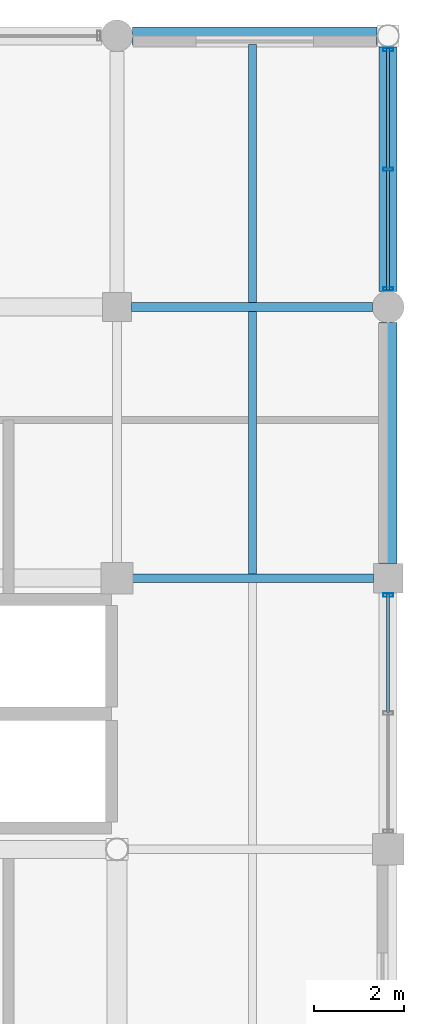
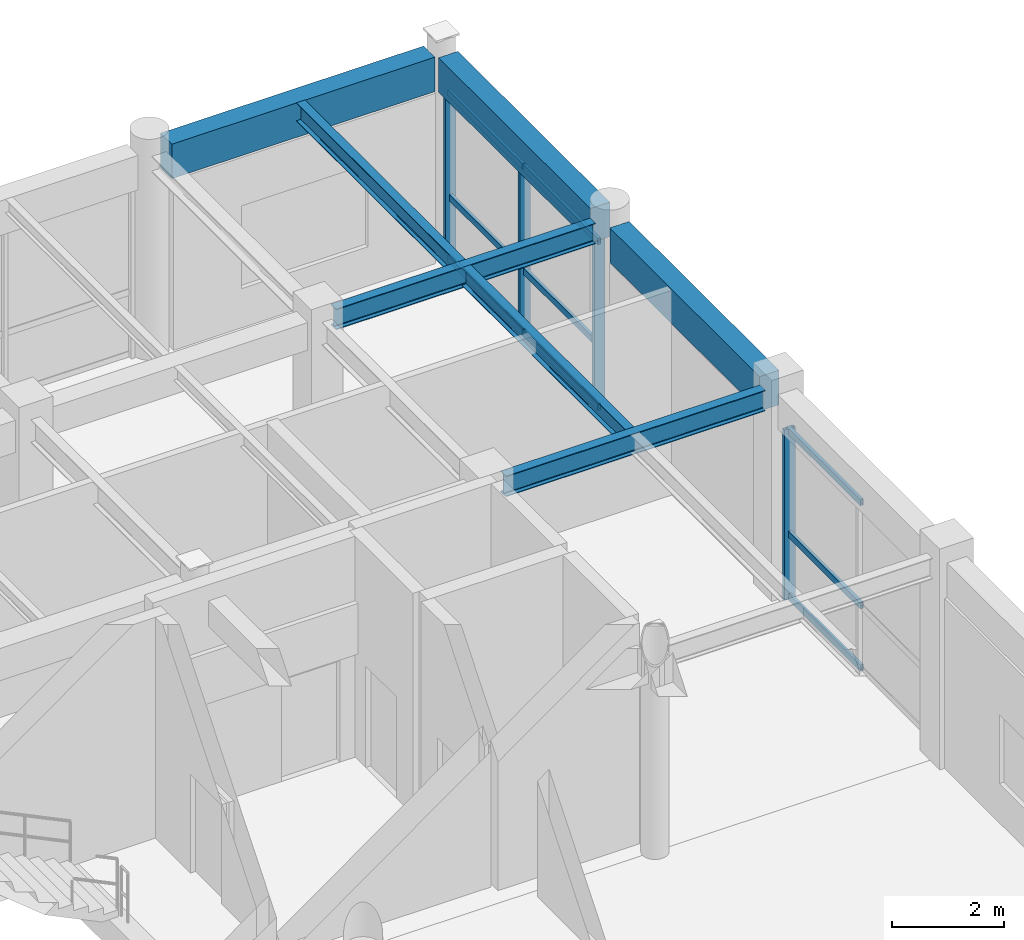
# One storey, part 86 of 123: 13 members, 7 beams, 2 elements without a shape of their own.
"""IFC4 building model written with IfcOpenShell, lengths in metres."""

from ifc_helpers import new_model, si_unit, direction, frame, origin, origin_2d, place, context, subcontext, project, spatial, rectangle, hollow_rectangle, i_section, extrude, material, material_profile, profile_set, type_object, element, aggregate, save


model = new_model("IFC4")

# Units and contexts
model_context = context("Model", 3, precision=1e-05, world=origin(), true_north=direction((0.0, 1.0)))
body_context = subcontext(model_context, "Body", "Model", "MODEL_VIEW")
ifc_project = project(units=[si_unit("LENGTHUNIT", "METRE"), si_unit("AREAUNIT", "SQUARE_METRE"), si_unit("VOLUMEUNIT", "CUBIC_METRE"), si_unit("PLANEANGLEUNIT", "RADIAN"), si_unit("MASSUNIT", "GRAM", prefix="KILO"), si_unit("THERMODYNAMICTEMPERATUREUNIT", "KELVIN"), si_unit("POWERUNIT", "WATT")], contexts=[model_context])

# Site, building, storey
site_placement = place(None, origin())
site = spatial("IfcSite", under=ifc_project, at=site_placement, CompositionType="ELEMENT")
building_placement = place(site_placement, origin())
building = spatial("IfcBuilding", under=site, at=building_placement, Name="Phaisarnlok Congress Hotel", CompositionType="ELEMENT")
storey_placement = place(building_placement, frame((0.0, 0.0, 15.0)))
storey = spatial("IfcBuildingStorey", under=building, at=storey_placement, Name="L03", CompositionType="ELEMENT", Elevation=15.0)

# Beams
ifc_material_1 = material(Name="Steel S355", Category="steel")
ifc_material_profile_1 = material_profile(ifc_material_1, i_section(OverallWidth=0.18994140625, OverallDepth=0.449951171875, WebThickness=0.009521484375, FlangeThickness=0.0146484375, FilletRadius=0.02099609375, at=origin_2d()), Name="IPE 450")
ifc_profile_set_1 = profile_set([ifc_material_profile_1], Name="Steel S355")
beam_type_1 = type_object("IfcBeamType", Name="BM-STL-IPE450", PredefinedType="BEAM", material=ifc_profile_set_1)
for number, where, z_axis, x_axis, name in (
    (1, (174.344970703125, 114.0, 4.22509765625), (1.0, 0.0, 0.0), (0.0, 1.0, 0.0), "Beam SB-01"),
    (2, (174.320068359375, 120.0, 4.22509765625), (1.0, 0.0, 0.0), (0.0, 1.0, 0.0), "Beam SB-01"),
):
    element("IfcBeam", number, at=place(storey_placement, frame(where, z_axis=z_axis, x_axis=x_axis)), inside=storey, type_object=beam_type_1, Name=name, PredefinedType="BEAM", context=body_context, shape_type="SweptSolid", body=[
        extrude(i_section(OverallWidth=0.18994140625, OverallDepth=0.449951171875, WebThickness=0.009521484375, FlangeThickness=0.0146484375, FilletRadius=0.02099609375, at=origin_2d()), origin(), (0.0, 0.0, 1.0), 5.3349609375),
    ])

# Curtain wall, member
ifc_material_2 = material(Name="Thermally Broken Unitised Aluminium & Low-E Glazing", Category="aluminium")
curtain_wall_type_1 = type_object("IfcCurtainWallType", Name="CW-UNIT-30", PredefinedType="NOTDEFINED", material=ifc_material_2)
curtain_wall_1_placement = place(storey_placement, origin())
curtain_wall_1 = element("IfcCurtainWall", 3, at=curtain_wall_1_placement, inside=storey, type_object=curtain_wall_type_1, Name="Unitised curtain wall CW-30 (L03)", PredefinedType="NOTDEFINED")
ifc_material_3 = material(Name="Anodised Aluminium Alloy 6063-T6", Category="aluminium")
ifc_material_profile_2 = material_profile(ifc_material_3, hollow_rectangle(XDim=0.074951171875, YDim=0.219970703125, WallThickness=0.0048828125, at=origin_2d()), Name="ALU-M 75x220x5")
ifc_profile_set_2 = profile_set([ifc_material_profile_2], Name="Anodised Aluminium Alloy 6063-T6")
member_type_1 = type_object("IfcMemberType", Name="CWM-220", PredefinedType="MULLION", material=ifc_profile_set_2)
member_1_placement = place(storey_placement, frame((180.0, 113.625, 0.0), z_axis=(0.0, 0.0, 1.0), x_axis=(0.0, 1.0, 0.0)))
member_1 = element("IfcMember", 4, at=member_1_placement, type_object=member_type_1, Name="Curtain wall mullion CWM-02", PredefinedType="MULLION", context=body_context, shape_type="SweptSolid", body=[
    extrude(hollow_rectangle(XDim=0.074951171875, YDim=0.219970703125, WallThickness=0.0048828125, at=origin_2d()), origin(), (0.0, 0.0, 1.0), 3.699951171875),
])

# Curtain wall, members
curtain_wall_type_2 = type_object("IfcCurtainWallType", Name="CW-UNIT-31", PredefinedType="NOTDEFINED", material=ifc_material_2)
curtain_wall_2_placement = place(storey_placement, origin())
curtain_wall_2 = element("IfcCurtainWall", 5, at=curtain_wall_2_placement, inside=storey, type_object=curtain_wall_type_2, Name="Unitised curtain wall CW-31 (L03)", PredefinedType="NOTDEFINED")
member_2_placement = place(storey_placement, frame((180.0, 120.39990234375, 0.0), z_axis=(0.0, 0.0, 1.0), x_axis=(0.0, 1.0, 0.0)))
member_2 = element("IfcMember", 6, at=member_2_placement, type_object=member_type_1, Name="Curtain wall mullion CWM-02", PredefinedType="MULLION", context=body_context, shape_type="SweptSolid", body=[
    extrude(hollow_rectangle(XDim=0.074951171875, YDim=0.219970703125, WallThickness=0.0048828125, at=origin_2d()), origin(), (0.0, 0.0, 1.0), 3.699951171875),
])
member_3_placement = place(storey_placement, frame((180.0, 123.048095703125, 0.0), z_axis=(0.0, 0.0, 1.0), x_axis=(0.0, 1.0, 0.0)))
member_3 = element("IfcMember", 7, at=member_3_placement, type_object=member_type_1, Name="Curtain wall mullion CWM-02", PredefinedType="MULLION", context=body_context, shape_type="SweptSolid", body=[
    extrude(hollow_rectangle(XDim=0.074951171875, YDim=0.219970703125, WallThickness=0.0048828125, at=origin_2d()), origin(), (0.0, 0.0, 1.0), 3.699951171875),
])
member_4_placement = place(storey_placement, frame((180.0, 125.696044921875, 0.0), z_axis=(0.0, 0.0, 1.0), x_axis=(0.0, 1.0, 0.0)))
member_4 = element("IfcMember", 8, at=member_4_placement, type_object=member_type_1, Name="Curtain wall mullion CWM-02", PredefinedType="MULLION", context=body_context, shape_type="SweptSolid", body=[
    extrude(hollow_rectangle(XDim=0.074951171875, YDim=0.219970703125, WallThickness=0.0048828125, at=origin_2d()), origin(), (0.0, 0.0, 1.0), 3.699951171875),
])

# Member
ifc_material_profile_3 = material_profile(ifc_material_3, hollow_rectangle(XDim=0.06494140625, YDim=0.139892578125, WallThickness=0.00390625, at=origin_2d()), Name="ALU-T 65x140x4")
ifc_profile_set_3 = profile_set([ifc_material_profile_3], Name="Anodised Aluminium Alloy 6063-T6")
member_type_2 = type_object("IfcMemberType", Name="CWT-150", PredefinedType="USERDEFINED", material=ifc_profile_set_3)
member_5_placement = place(storey_placement, frame((180.0, 111.027587890625, 0.050048828125), z_axis=(0.0, 1.0, 0.0), x_axis=(-1.0, 0.0, 0.0)))
member_5 = element("IfcMember", 9, at=member_5_placement, type_object=member_type_2, Name="Curtain wall transom CWT-01", ObjectType="TRANSOM", PredefinedType="USERDEFINED", context=body_context, shape_type="SweptSolid", body=[
    extrude(hollow_rectangle(XDim=0.06494140625, YDim=0.139892578125, WallThickness=0.00390625, at=origin_2d()), origin(), (0.0, 0.0, 1.0), 2.622314453125),
])

member_6_placement = place(storey_placement, frame((180.0, 111.027587890625, 1.406005859375), z_axis=(0.0, 1.0, 0.0), x_axis=(-1.0, 0.0, 0.0)))
member_6 = element("IfcMember", 10, at=member_6_placement, type_object=member_type_2, Name="Curtain wall transom CWT-01", ObjectType="TRANSOM", PredefinedType="USERDEFINED", context=body_context, shape_type="SweptSolid", body=[
    extrude(hollow_rectangle(XDim=0.06494140625, YDim=0.139892578125, WallThickness=0.00390625, at=origin_2d()), origin(), (0.0, 0.0, 1.0), 2.622314453125),
])

member_7_placement = place(storey_placement, frame((180.0, 111.027587890625, 3.64990234375), z_axis=(0.0, 1.0, 0.0), x_axis=(-1.0, 0.0, 0.0)))
member_7 = element("IfcMember", 11, at=member_7_placement, type_object=member_type_2, Name="Curtain wall transom CWT-01", ObjectType="TRANSOM", PredefinedType="USERDEFINED", context=body_context, shape_type="SweptSolid", body=[
    extrude(hollow_rectangle(XDim=0.06494140625, YDim=0.139892578125, WallThickness=0.00390625, at=origin_2d()), origin(), (0.0, 0.0, 1.0), 2.622314453125),
])

aggregate(curtain_wall_1, [member_1, member_5, member_6, member_7])

member_8_placement = place(storey_placement, frame((180.0, 120.375, 0.050048828125), z_axis=(0.0, 1.0, 0.0), x_axis=(-1.0, 0.0, 0.0)))
member_8 = element("IfcMember", 12, at=member_8_placement, type_object=member_type_2, Name="Curtain wall transom CWT-01", ObjectType="TRANSOM", PredefinedType="USERDEFINED", context=body_context, shape_type="SweptSolid", body=[
    extrude(hollow_rectangle(XDim=0.06494140625, YDim=0.139892578125, WallThickness=0.00390625, at=origin_2d()), origin(), (0.0, 0.0, 1.0), 2.657958984375),
])

member_9_placement = place(storey_placement, frame((180.0, 120.375, 1.406005859375), z_axis=(0.0, 1.0, 0.0), x_axis=(-1.0, 0.0, 0.0)))
member_9 = element("IfcMember", 13, at=member_9_placement, type_object=member_type_2, Name="Curtain wall transom CWT-01", ObjectType="TRANSOM", PredefinedType="USERDEFINED", context=body_context, shape_type="SweptSolid", body=[
    extrude(hollow_rectangle(XDim=0.06494140625, YDim=0.139892578125, WallThickness=0.00390625, at=origin_2d()), origin(), (0.0, 0.0, 1.0), 2.657958984375),
])

member_10_placement = place(storey_placement, frame((180.0, 120.375, 3.64990234375), z_axis=(0.0, 1.0, 0.0), x_axis=(-1.0, 0.0, 0.0)))
member_10 = element("IfcMember", 14, at=member_10_placement, type_object=member_type_2, Name="Curtain wall transom CWT-01", ObjectType="TRANSOM", PredefinedType="USERDEFINED", context=body_context, shape_type="SweptSolid", body=[
    extrude(hollow_rectangle(XDim=0.06494140625, YDim=0.139892578125, WallThickness=0.00390625, at=origin_2d()), origin(), (0.0, 0.0, 1.0), 2.657958984375),
])

member_11_placement = place(storey_placement, frame((180.0, 123.06298828125, 0.050048828125), z_axis=(0.0, 1.0, 0.0), x_axis=(-1.0, 0.0, 0.0)))
member_11 = element("IfcMember", 15, at=member_11_placement, type_object=member_type_2, Name="Curtain wall transom CWT-01", ObjectType="TRANSOM", PredefinedType="USERDEFINED", context=body_context, shape_type="SweptSolid", body=[
    extrude(hollow_rectangle(XDim=0.06494140625, YDim=0.139892578125, WallThickness=0.00390625, at=origin_2d()), origin(), (0.0, 0.0, 1.0), 2.657958984375),
])

member_12_placement = place(storey_placement, frame((180.0, 123.06298828125, 1.406005859375), z_axis=(0.0, 1.0, 0.0), x_axis=(-1.0, 0.0, 0.0)))
member_12 = element("IfcMember", 16, at=member_12_placement, type_object=member_type_2, Name="Curtain wall transom CWT-01", ObjectType="TRANSOM", PredefinedType="USERDEFINED", context=body_context, shape_type="SweptSolid", body=[
    extrude(hollow_rectangle(XDim=0.06494140625, YDim=0.139892578125, WallThickness=0.00390625, at=origin_2d()), origin(), (0.0, 0.0, 1.0), 2.657958984375),
])

member_13_placement = place(storey_placement, frame((180.0, 123.06298828125, 3.64990234375), z_axis=(0.0, 1.0, 0.0), x_axis=(-1.0, 0.0, 0.0)))
member_13 = element("IfcMember", 17, at=member_13_placement, type_object=member_type_2, Name="Curtain wall transom CWT-01", ObjectType="TRANSOM", PredefinedType="USERDEFINED", context=body_context, shape_type="SweptSolid", body=[
    extrude(hollow_rectangle(XDim=0.06494140625, YDim=0.139892578125, WallThickness=0.00390625, at=origin_2d()), origin(), (0.0, 0.0, 1.0), 2.657958984375),
])

aggregate(curtain_wall_2, [member_2, member_3, member_4, member_8, member_9, member_10, member_11, member_12, member_13])

# Beams
ifc_material_profile_4 = material_profile(ifc_material_1, i_section(OverallWidth=0.179931640625, OverallDepth=0.39990234375, WebThickness=0.008544921875, FlangeThickness=0.013427734375, FilletRadius=0.02099609375, at=origin_2d()), Name="IPE 400")
ifc_profile_set_4 = profile_set([ifc_material_profile_4], Name="Steel S355")
beam_type_2 = type_object("IfcBeamType", Name="JS-STL-IPE400", PredefinedType="JOIST", material=ifc_profile_set_4)
beam_1_placement = place(storey_placement, frame((177.0, 114.090087890625, 4.25), z_axis=(0.0, 1.0, 0.0), x_axis=(-1.0, 0.0, 0.0)))
element("IfcBeam", 18, at=beam_1_placement, inside=storey, type_object=beam_type_2, Name="Secondary floor joist J-05", PredefinedType="JOIST", context=body_context, shape_type="SweptSolid", body=[
    extrude(i_section(OverallWidth=0.179931640625, OverallDepth=0.39990234375, WebThickness=0.008544921875, FlangeThickness=0.013427734375, FilletRadius=0.02099609375, at=origin_2d()), origin(), (0.0, 0.0, 1.0), 5.81982421875),
])
beam_2_placement = place(storey_placement, frame((177.0, 120.090087890625, 4.25), z_axis=(0.0, 1.0, 0.0), x_axis=(-1.0, 0.0, 0.0)))
element("IfcBeam", 19, at=beam_2_placement, inside=storey, type_object=beam_type_2, Name="Secondary floor joist J-05", PredefinedType="JOIST", context=body_context, shape_type="SweptSolid", body=[
    extrude(i_section(OverallWidth=0.179931640625, OverallDepth=0.39990234375, WebThickness=0.008544921875, FlangeThickness=0.013427734375, FilletRadius=0.02099609375, at=origin_2d()), origin(), (0.0, 0.0, 1.0), 5.71484375),
])
ifc_material_4 = material(Name="Concrete C40/50", Category="concrete")
ifc_material_profile_5 = material_profile(ifc_material_4, rectangle(XDim=0.39990234375, YDim=0.75, at=origin_2d()), Name="RC 400x750")
ifc_profile_set_5 = profile_set([ifc_material_profile_5], Name="Concrete C40/50")
beam_type_3 = type_object("IfcBeamType", Name="SP-RC-400x750", PredefinedType="SPANDREL", material=ifc_profile_set_5)
beam_3_placement = place(storey_placement, frame((174.344970703125, 126.0, 4.074951171875), z_axis=(1.0, 0.0, 0.0), x_axis=(0.0, 1.0, 0.0)))
element("IfcBeam", 20, at=beam_3_placement, inside=storey, type_object=beam_type_3, Name="Beam SP-02", PredefinedType="SPANDREL", context=body_context, shape_type="SweptSolid", body=[
    extrude(rectangle(XDim=0.39990234375, YDim=0.75, at=origin_2d()), origin(), (0.0, 0.0, 1.0), 5.406005859375),
])
beam_4_placement = place(storey_placement, frame((180.0, 114.320068359375, 4.074951171875), z_axis=(0.0, 1.0, 0.0), x_axis=(-1.0, 0.0, 0.0)))
element("IfcBeam", 21, at=beam_4_placement, inside=storey, type_object=beam_type_3, Name="Beam SP-02", PredefinedType="SPANDREL", context=body_context, shape_type="SweptSolid", body=[
    extrude(rectangle(XDim=0.39990234375, YDim=0.75, at=origin_2d()), origin(), (0.0, 0.0, 1.0), 5.3349609375),
])
beam_5_placement = place(storey_placement, frame((180.0, 120.344970703125, 4.074951171875), z_axis=(0.0, 1.0, 0.0), x_axis=(-1.0, 0.0, 0.0)))
element("IfcBeam", 22, at=beam_5_placement, inside=storey, type_object=beam_type_3, Name="Beam SP-02", PredefinedType="SPANDREL", context=body_context, shape_type="SweptSolid", body=[
    extrude(rectangle(XDim=0.39990234375, YDim=0.75, at=origin_2d()), origin(), (0.0, 0.0, 1.0), 5.406005859375),
])

save(model, "model.ifc")
